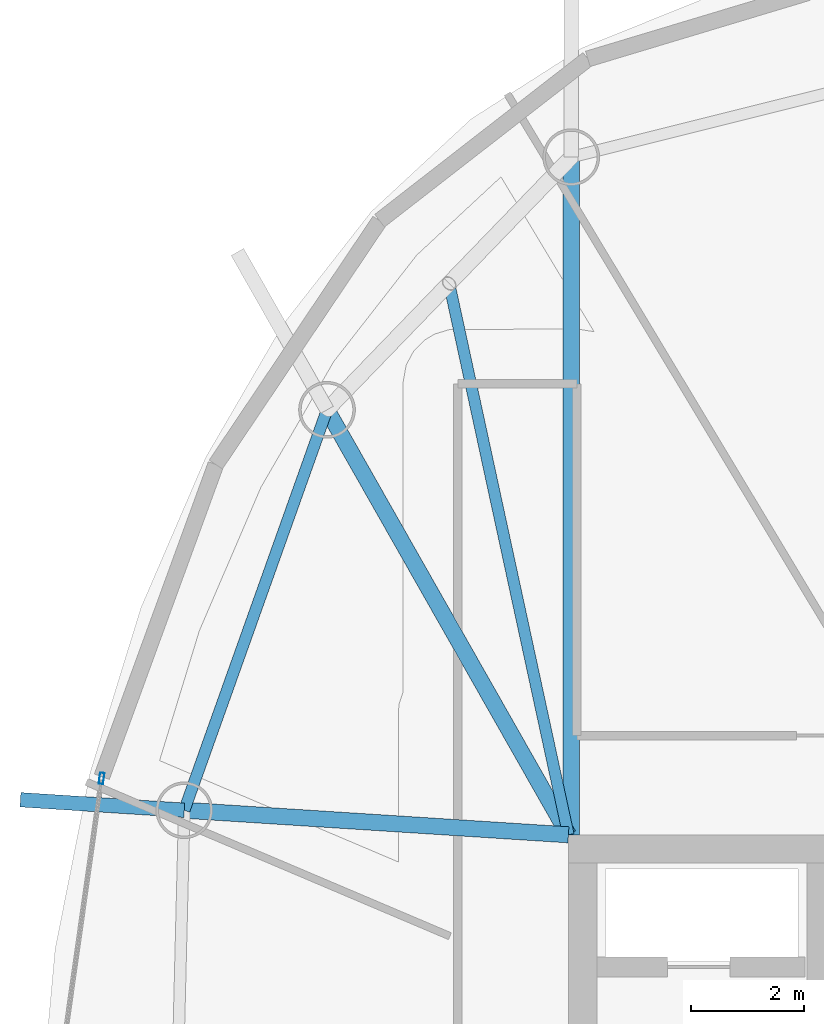
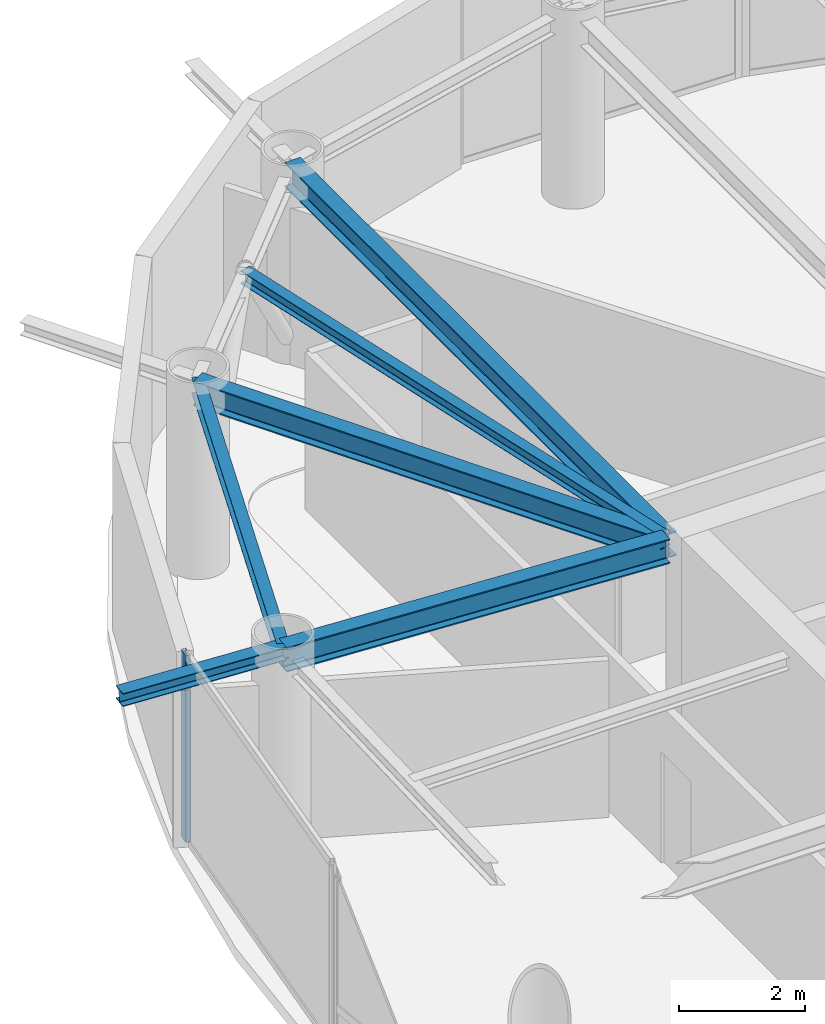
# One storey, part 9 of 20: 6 beams, 1 member, 1 element without a shape of its own.
"""IFC4 building model written with IfcOpenShell, lengths in metres."""

import ifcopenshell
import ifcopenshell.guid

model = None  # the IFC model being written
_history = None  # IfcOwnerHistory: only IFC2X3 demands one
_inside = {}  # id of a spatial element -> (the spatial element, [elements in it])
_under = {}  # id of a project, library or spatial element -> (it, [spatial elements below it])
_declared = {}  # id of a project -> (the project, [libraries it declares])
_typed = {}  # id of a type object -> (the type object, [elements of that type])
_made_of = {}  # id of a material, layer set ... -> (it, [elements and type objects made of it])


def new_model(schema):
    """Start an empty IFC model of exactly this schema.

    Asked for "IFC4X3", IfcOpenShell would pick the latest addendum, in which some entities
    have other attributes; the version numbers below select the first issue.
    IFC2X3 requires an IfcOwnerHistory on every rooted entity: one is made here for all.
    """
    global model, _history
    if schema == "IFC4X3":
        model = ifcopenshell.file(schema_version=(4, 3, 0, 0))
    else:
        model = ifcopenshell.file(schema=schema)
    _inside.clear()
    _under.clear()
    _declared.clear()
    _typed.clear()
    _made_of.clear()
    _history = None
    if model.schema == "IFC2X3":
        org = make("IfcOrganization", Name="unknown")
        user = make(
            "IfcPersonAndOrganization",
            ThePerson=make("IfcPerson", FamilyName="unknown"),
            TheOrganization=org,
        )
        app = make(
            "IfcApplication",
            ApplicationDeveloper=org,
            Version="unknown",
            ApplicationFullName="unknown",
            ApplicationIdentifier="unknown",
        )
        _history = make(
            "IfcOwnerHistory",
            OwningUser=user,
            OwningApplication=app,
            ChangeAction="ADDED",
            CreationDate=0,
        )
    return model


def make(cls, **values):
    """One entity of the class cls with the attributes given. An attribute that is None is left unset."""
    return model.create_entity(
        cls, **{name: value for name, value in values.items() if value is not None}
    )


def rooted(cls, **values):
    """An entity with a GlobalId (a new one), such as an element, a storey or a relation."""
    return make(cls, GlobalId=ifcopenshell.guid.new(), OwnerHistory=_history, **values)


def si_unit(unit_type, name, prefix=None):
    """IfcSIUnit, for example si_unit("LENGTHUNIT", "METRE", prefix="MILLI")."""
    return make("IfcSIUnit", UnitType=unit_type, Prefix=prefix, Name=name)


def assignment(units):
    """IfcUnitAssignment: the units of a project."""
    return None if units is None else make("IfcUnitAssignment", Units=units)


def point(xyz):
    """IfcCartesianPoint."""
    return None if xyz is None else make("IfcCartesianPoint", Coordinates=xyz)


def direction(xyz):
    """IfcDirection."""
    return None if xyz is None else make("IfcDirection", DirectionRatios=xyz)


def frame(location, z_axis=None, x_axis=None):
    """IfcAxis2Placement3D, a coordinate frame: its origin and axes. An axis left out is left unset."""
    return make(
        "IfcAxis2Placement3D",
        Location=point(location),
        Axis=direction(z_axis),
        RefDirection=direction(x_axis),
    )


def frame_2d(location, x_axis=None):
    """IfcAxis2Placement2D, a coordinate frame in the plane: its origin and x axis."""
    return make(
        "IfcAxis2Placement2D", Location=point(location), RefDirection=direction(x_axis)
    )


def origin():
    """The frame at (0, 0, 0) with its axes left unset."""
    return frame((0.0, 0.0, 0.0))


def origin_2d():
    """The frame at (0, 0) in the plane with its x axis left unset."""
    return frame_2d((0.0, 0.0))


def place(relative_to, where):
    """IfcLocalPlacement: puts the frame where relative to a parent placement (None: the world)."""
    return make(
        "IfcLocalPlacement", PlacementRelTo=relative_to, RelativePlacement=where
    )


def context(
    kind, dimensions, precision=None, world=None, true_north=None, identifier=None
):
    """IfcGeometricRepresentationContext, for example the 3D "Model" context."""
    return make(
        "IfcGeometricRepresentationContext",
        ContextIdentifier=identifier,
        ContextType=kind,
        CoordinateSpaceDimension=dimensions,
        Precision=precision,
        WorldCoordinateSystem=world,
        TrueNorth=true_north,
    )


def subcontext(parent, identifier, kind, view, scale=None):
    """IfcGeometricRepresentationSubContext, for example "Body" below "Model"."""
    return make(
        "IfcGeometricRepresentationSubContext",
        ContextIdentifier=identifier,
        ContextType=kind,
        ParentContext=parent,
        TargetScale=scale,
        TargetView=view,
    )


def project(units=None, contexts=None):
    """IfcProject with its units and contexts."""
    return rooted(
        "IfcProject",
        Name="project",
        RepresentationContexts=contexts,
        UnitsInContext=assignment(units),
    )


def spatial(cls, under=None, at=None, **own):
    """A site, building, storey or space (cls), placed at a placement, below another one or the project."""
    s = rooted(cls, ObjectPlacement=at, **own)
    if under is not None:
        _under.setdefault(under.id(), (under, []))[1].append(s)
    return s


def profile(cls, at=None, kind="AREA", **sizes):
    """A parametric profile (cls). Its sizes go by their IFC names, for example OverallWidth=200.0."""
    return make(cls, ProfileType=kind, Position=at, **sizes)


def hollow_rectangle(**sizes):
    """IfcRectangleHollowProfileDef."""
    return profile("IfcRectangleHollowProfileDef", **sizes)


def i_section(**sizes):
    """IfcIShapeProfileDef."""
    return profile("IfcIShapeProfileDef", **sizes)


def extrude(swept, where, along, depth):
    """IfcExtrudedAreaSolid: the profile swept, set in the frame where, extruded along a direction by depth."""
    return make(
        "IfcExtrudedAreaSolid",
        SweptArea=swept,
        Position=where,
        ExtrudedDirection=direction(along),
        Depth=depth,
    )


def shape(context_of_items, identifier, shape_type, items):
    """IfcShapeRepresentation: the items that make up one representation, for example the "Body"."""
    return make(
        "IfcShapeRepresentation",
        ContextOfItems=context_of_items,
        RepresentationIdentifier=identifier,
        RepresentationType=shape_type,
        Items=items,
    )


def material(Name=None, Category=None):
    """IfcMaterial."""
    return make("IfcMaterial", Name=Name, Category=Category)


def layer(
    of_material, thickness, ventilated=None, Name=None, Category=None, Priority=None
):
    """IfcMaterialLayer: one layer of a wall or slab, of a material (None: an air gap)."""
    return make(
        "IfcMaterialLayer",
        Material=of_material,
        LayerThickness=thickness,
        IsVentilated=ventilated,
        Name=Name,
        Category=Category,
        Priority=Priority,
    )


def layer_set(layers, Name=None):
    """IfcMaterialLayerSet."""
    return make("IfcMaterialLayerSet", MaterialLayers=layers, LayerSetName=Name)


def material_profile(
    of_material, cross_section, Name=None, Category=None, Priority=None
):
    """IfcMaterialProfile: a cross section and its material."""
    return make(
        "IfcMaterialProfile",
        Name=Name,
        Material=of_material,
        Profile=cross_section,
        Priority=Priority,
        Category=Category,
    )


def profile_set(profiles, Name=None, composite=None):
    """IfcMaterialProfileSet."""
    return make(
        "IfcMaterialProfileSet",
        Name=Name,
        MaterialProfiles=profiles,
        CompositeProfile=composite,
    )


def made_of(thing, what):
    """Note that an element or type object is made of a material, layer set ...; save() writes the relation."""
    if what is not None:
        _made_of.setdefault(what.id(), (what, []))[1].append(thing)
    return thing


def type_object(cls, material=None, **own):
    """A type object (cls), such as IfcWallType, which elements share."""
    return made_of(rooted(cls, **own), material)


def element(
    cls,
    number,
    at=None,
    inside=None,
    cuts=None,
    type_object=None,
    material=None,
    context=None,
    identifier="Body",
    shape_type=None,
    held_by="IfcProductDefinitionShape",
    body=None,
    shapes=None,
    **own,
):
    """One element of the class cls, such as IfcWall. Its Tag is "e" and its number.

    at: its placement. inside: the storey or other place that contains it. cuts: it is an
    opening in that element (IfcRelVoidsElement). A single representation is given by context,
    identifier, shape_type and body (its items); several are given by shapes. held_by: the class
    of the entity that holds the representations. save() writes the other relations.
    """
    e = rooted(cls, Tag="e%d" % number, ObjectPlacement=at, **own)
    if body is not None:
        shapes = [shape(context, identifier, shape_type, body)]
    if shapes is not None:
        e.Representation = make(held_by, Representations=shapes)
    if inside is not None:
        _inside.setdefault(inside.id(), (inside, []))[1].append(e)
    if cuts is not None:
        rooted(
            "IfcRelVoidsElement", RelatingBuildingElement=cuts, RelatedOpeningElement=e
        )
    if type_object is not None:
        _typed.setdefault(type_object.id(), (type_object, []))[1].append(e)
    return made_of(e, material)


def aggregate(whole, parts):
    """IfcRelAggregates: a whole, such as a stair, and the parts it consists of."""
    return rooted("IfcRelAggregates", RelatingObject=whole, RelatedObjects=parts)


def save(model, path):
    """Write the relations noted so far, then the file.

    IfcRelAggregates (storeys below a building ...), IfcRelContainedInSpatialStructure (elements
    in a storey), IfcRelDefinesByType, IfcRelAssociatesMaterial and IfcRelDeclares: one each for
    every whole, place, type object, material and project.
    """
    for whole, parts in _under.values():
        aggregate(whole, parts)
    for where, things in _inside.values():
        rooted(
            "IfcRelContainedInSpatialStructure",
            RelatedElements=things,
            RelatingStructure=where,
        )
    for kind, things in _typed.values():
        rooted("IfcRelDefinesByType", RelatedObjects=things, RelatingType=kind)
    for what, things in _made_of.values():
        rooted("IfcRelAssociatesMaterial", RelatedObjects=things, RelatingMaterial=what)
    for by, libraries in _declared.values():
        rooted("IfcRelDeclares", RelatingContext=by, RelatedDefinitions=libraries)
    model.write(path)


model = new_model("IFC4")

# Units and contexts
model_context = context("Model", 3, precision=1e-05, world=origin(), true_north=direction((0.0, 1.0)))
body_context = subcontext(model_context, "Body", "Model", "MODEL_VIEW")
ifc_project = project(units=[si_unit("LENGTHUNIT", "METRE"), si_unit("AREAUNIT", "SQUARE_METRE"), si_unit("VOLUMEUNIT", "CUBIC_METRE"), si_unit("PLANEANGLEUNIT", "RADIAN"), si_unit("MASSUNIT", "GRAM", prefix="KILO")], contexts=[model_context])

# Site, building, storey
site_placement = place(None, origin())
site = spatial("IfcSite", under=ifc_project, at=site_placement, CompositionType="ELEMENT")
building_placement = place(site_placement, origin())
building = spatial("IfcBuilding", under=site, at=building_placement, Name="Bramvorn Convention Spire", CompositionType="ELEMENT")
storey_placement = place(building_placement, frame((0.0, 0.0, 284.39990234375)))
storey = spatial("IfcBuildingStorey", under=building, at=storey_placement, Name="L72", CompositionType="ELEMENT", Elevation=284.39990234375)

# Beams
ifc_material_1 = material(Name="Steel CSA G40.21 Grade 350 (350W)", Category="steel")
ifc_material_profile_1 = material_profile(ifc_material_1, i_section(OverallWidth=0.201904296875, OverallDepth=0.2470703125, WebThickness=0.00732421875, FlangeThickness=0.010986328125, FilletRadius=0.011962890625, at=origin_2d()))
ifc_profile_set_1 = profile_set([ifc_material_profile_1], Name="Steel CSA G40.21 Grade 350 (350W) - W250X49")
beam_type_1 = type_object("IfcBeamType", Name="BM-W250X49", PredefinedType="JOIST", material=ifc_profile_set_1)
beam_1_placement = place(storey_placement, frame((26.75, 33.449951171875, 3.501708984375), z_axis=(-0.211461445939, 0.977386339623, 0.0), x_axis=(-0.977386339623, -0.211461445939, 0.0)))
element("IfcBeam", 1, at=beam_1_placement, inside=storey, type_object=beam_type_1, Name="L72 composite floor joist 09", PredefinedType="JOIST", context=body_context, shape_type="SweptSolid", body=[
    extrude(i_section(OverallWidth=0.201904296875, OverallDepth=0.2470703125, WebThickness=0.00732421875, FlangeThickness=0.010986328125, FilletRadius=0.011962890625, at=origin_2d()), origin(), (0.0, 0.0, 1.0), 9.9462890625),
])
ifc_material_profile_2 = material_profile(ifc_material_1, i_section(OverallWidth=0.25390625, OverallDepth=0.2529296875, WebThickness=0.008544921875, FlangeThickness=0.01416015625, FilletRadius=0.011962890625, at=origin_2d()))
ifc_profile_set_2 = profile_set([ifc_material_profile_2], Name="Steel CSA G40.21 Grade 350 (350W) - W250X73")
beam_type_2 = type_object("IfcBeamType", Name="BM-W250X73", PredefinedType="BEAM", material=ifc_profile_set_2)
beam_2_placement = place(storey_placement, frame((19.976318359375, 33.883544921875, 3.49853515625), z_axis=(-0.997958915236, 0.063859247577, 0.0), x_axis=(-0.063859247577, -0.997958915236, 0.0)))
element("IfcBeam", 2, at=beam_2_placement, inside=storey, type_object=beam_type_2, Name="L72 slab-edge cantilever tip beam MC11", PredefinedType="BEAM", context=body_context, shape_type="SweptSolid", body=[
    extrude(i_section(OverallWidth=0.25390625, OverallDepth=0.2529296875, WebThickness=0.008544921875, FlangeThickness=0.01416015625, FilletRadius=0.011962890625, at=origin_2d()), origin(), (0.0, 0.0, 1.0), 2.89404296875),
])
ifc_material_profile_3 = material_profile(ifc_material_1, i_section(OverallWidth=0.202880859375, OverallDepth=0.302978515625, WebThickness=0.007568359375, FlangeThickness=0.01318359375, FilletRadius=0.013916015625, at=origin_2d()))
ifc_profile_set_3 = profile_set([ifc_material_profile_3], Name="Steel CSA G40.21 Grade 350 (350W) - W310X60")
beam_type_3 = type_object("IfcBeamType", Name="BM-W310X60", PredefinedType="JOIST", material=ifc_profile_set_3)
beam_3_placement = place(storey_placement, frame((22.49365234375, 40.94384765625, 3.4736328125), z_axis=(-0.335839090413, -0.941919373063, 0.0), x_axis=(0.941919373063, -0.335839090413, 0.0)))
element("IfcBeam", 3, at=beam_3_placement, inside=storey, type_object=beam_type_3, Name="L72 mega-column ring beam 10", PredefinedType="JOIST", context=body_context, shape_type="SweptSolid", body=[
    extrude(i_section(OverallWidth=0.202880859375, OverallDepth=0.302978515625, WebThickness=0.007568359375, FlangeThickness=0.01318359375, FilletRadius=0.013916015625, at=origin_2d()), origin(), (0.0, 0.0, 1.0), 7.49560546875),
])
ifc_material_profile_4 = material_profile(ifc_material_1, i_section(OverallWidth=0.283935546875, OverallDepth=0.47607421875, WebThickness=0.014892578125, FlangeThickness=0.02392578125, FilletRadius=0.01806640625, at=origin_2d()))
ifc_profile_set_4 = profile_set([ifc_material_profile_4], Name="Steel CSA G40.21 Grade 350 (350W) - W460X158")
beam_type_4 = type_object("IfcBeamType", Name="BM-W460X158", PredefinedType="SPANDREL", material=ifc_profile_set_4)
beam_4_placement = place(storey_placement, frame((26.800048828125, 33.449951171875, 3.38720703125), z_axis=(0.0, 1.0, 0.0), x_axis=(-1.0, 0.0, 0.0)))
element("IfcBeam", 4, at=beam_4_placement, inside=storey, type_object=beam_type_4, Name="L72 radial floor girder MC09", PredefinedType="SPANDREL", context=body_context, shape_type="SweptSolid", body=[
    extrude(i_section(OverallWidth=0.283935546875, OverallDepth=0.47607421875, WebThickness=0.014892578125, FlangeThickness=0.02392578125, FilletRadius=0.01806640625, at=origin_2d()), origin(), (0.0, 0.0, 1.0), 11.948974609375),
])
beam_5_placement = place(storey_placement, frame((26.75, 33.449951171875, 3.38720703125), z_axis=(-0.493873612118, 0.869533699895, 0.0), x_axis=(-0.869533699895, -0.493873612118, 0.0)))
element("IfcBeam", 5, at=beam_5_placement, inside=storey, type_object=beam_type_4, Name="L72 radial floor girder MC10", PredefinedType="SPANDREL", context=body_context, shape_type="SweptSolid", body=[
    extrude(i_section(OverallWidth=0.283935546875, OverallDepth=0.47607421875, WebThickness=0.014892578125, FlangeThickness=0.02392578125, FilletRadius=0.01806640625, at=origin_2d()), origin(), (0.0, 0.0, 1.0), 8.618408203125),
])
beam_6_placement = place(storey_placement, frame((26.75, 33.449951171875, 3.38720703125), z_axis=(-0.997957536354, 0.063880792379, 0.0), x_axis=(-0.063880792379, -0.997957536354, 0.0)))
element("IfcBeam", 6, at=beam_6_placement, inside=storey, type_object=beam_type_4, Name="L72 radial floor girder MC11", PredefinedType="SPANDREL", context=body_context, shape_type="SweptSolid", body=[
    extrude(i_section(OverallWidth=0.283935546875, OverallDepth=0.47607421875, WebThickness=0.014892578125, FlangeThickness=0.02392578125, FilletRadius=0.01806640625, at=origin_2d()), origin(), (0.0, 0.0, 1.0), 6.78759765625),
])

# Curtain wall, member
ifc_material_2 = material(Name="Anodised Bronze Unitised Curtain Wall", Category="aluminium")
ifc_layer = layer(ifc_material_2, 0.179931640625)
ifc_layer_set = layer_set([ifc_layer], Name="Anodised Bronze Unitised Curtain Wall - CW-OFF-FRIT")
curtain_wall_type = type_object("IfcCurtainWallType", Name="CW-OFF-FRIT", PredefinedType="USERDEFINED", material=ifc_layer_set)
curtain_wall_placement = place(storey_placement, origin())
curtain_wall = element("IfcCurtainWall", 7, at=curtain_wall_placement, inside=storey, type_object=curtain_wall_type, Name="L72 fritted glass curtain wall 16", ObjectType="UNITISED CURTAIN WALL", PredefinedType="USERDEFINED")
ifc_material_3 = material(Name="Anodised Bronze Aluminium 6063-T6", Category="aluminium")
ifc_material_profile_5 = material_profile(ifc_material_3, hollow_rectangle(XDim=0.080078125, YDim=0.199951171875, WallThickness=0.00390625, InnerFilletRadius=0.0009765625, OuterFilletRadius=0.00390625, at=origin_2d()))
ifc_profile_set_5 = profile_set([ifc_material_profile_5], Name="Anodised Bronze Aluminium 6063-T6 - CWM80X200")
member_type = type_object("IfcMemberType", Name="CW-MUL-180", PredefinedType="MULLION", material=ifc_profile_set_5)
member_placement = place(storey_placement, frame((18.518798828125, 34.444580078125, 0.0), z_axis=(0.0, 0.0, 1.0), x_axis=(-0.990074238491, 0.140545374442, 0.0)))
member = element("IfcMember", 8, at=member_placement, type_object=member_type, Name="CW3 mullion 2", PredefinedType="MULLION", context=body_context, shape_type="SweptSolid", body=[
    extrude(hollow_rectangle(XDim=0.080078125, YDim=0.199951171875, WallThickness=0.00390625, InnerFilletRadius=0.0009765625, OuterFilletRadius=0.00390625, at=origin_2d()), origin(), (0.0, 0.0, 1.0), 3.625),
])
aggregate(curtain_wall, [member])

save(model, "model.ifc")
